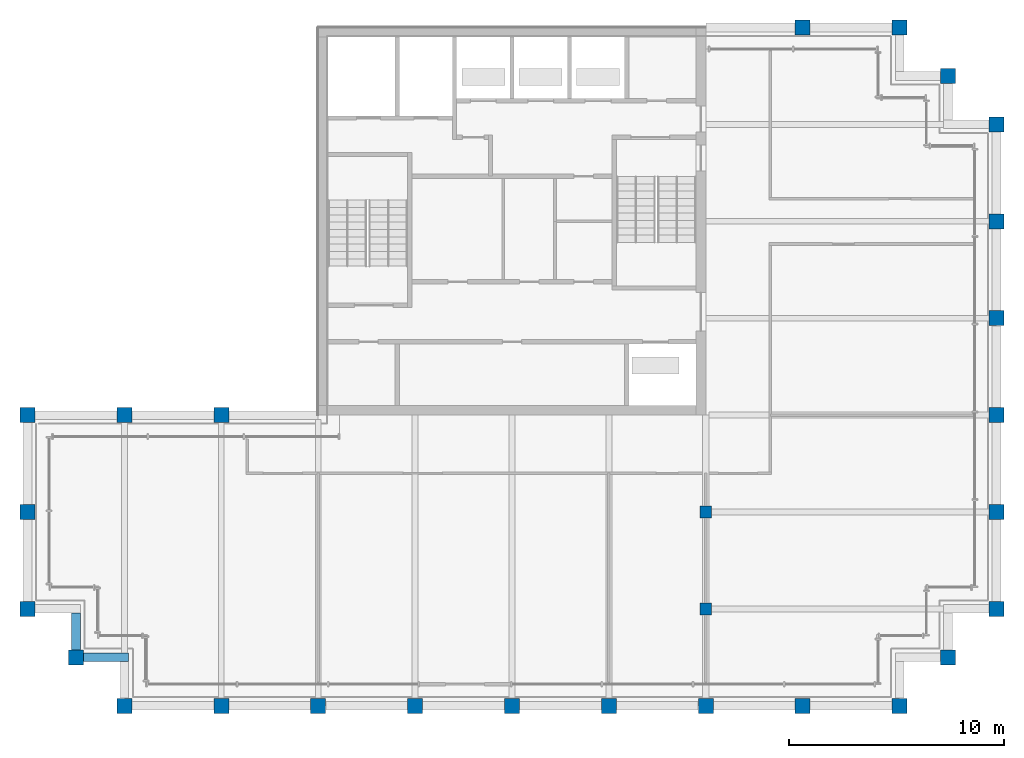
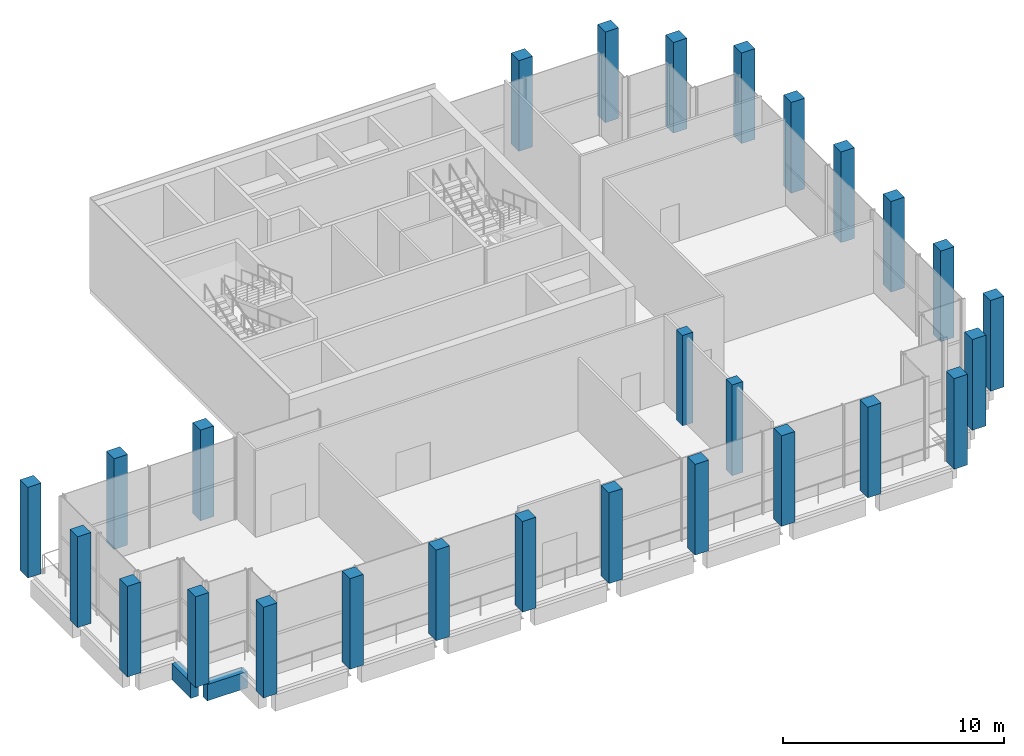
# One storey, part 1 of 14: 27 columns, 2 beams.
"""IFC4 building model written with IfcOpenShell, lengths in metres."""

from ifc_helpers import new_model, si_unit, direction, frame, origin, origin_2d, place, context, subcontext, project, spatial, rectangle, extrude, material, material_profile, profile_set, type_object, element, save


model = new_model("IFC4")

# Units and contexts
model_context = context("Model", 3, precision=1e-05, world=origin(), true_north=direction((0.0, 1.0)))
body_context = subcontext(model_context, "Body", "Model", "MODEL_VIEW")
ifc_project = project(units=[si_unit("LENGTHUNIT", "METRE"), si_unit("AREAUNIT", "SQUARE_METRE"), si_unit("VOLUMEUNIT", "CUBIC_METRE"), si_unit("PLANEANGLEUNIT", "RADIAN"), si_unit("MASSUNIT", "GRAM", prefix="KILO")], contexts=[model_context])

# Site, building, storey
site_placement = place(None, origin())
site = spatial("IfcSite", under=ifc_project, at=site_placement, CompositionType="ELEMENT")
building_placement = place(site_placement, origin())
building = spatial("IfcBuilding", under=site, at=building_placement, Name="Altepetl Exchange Towers", CompositionType="ELEMENT")
storey_placement = place(building_placement, frame((0.0, 0.0, 269.60009765625)))
storey = spatial("IfcBuildingStorey", under=building, at=storey_placement, Name="L68 Observation gallery", CompositionType="ELEMENT", Elevation=269.60009765625)

# Columns
ifc_material_1 = material(Name="Concrete C70/85", Category="concrete")
ifc_material_profile_1 = material_profile(ifc_material_1, rectangle(XDim=0.550048828125, YDim=0.550048828125, at=origin_2d()), Name="550 x 550")
ifc_profile_set_1 = profile_set([ifc_material_profile_1], Name="Concrete C70/85")
column_type_1 = type_object("IfcColumnType", Name="Interior column 550", PredefinedType="COLUMN", material=ifc_profile_set_1)
for number, where, name in (
    (1, (58.5, 31.5, 0.0), "col:A:L68:025"),
    (2, (58.5, 36.0, 0.0), "col:A:L68:026"),
):
    element("IfcColumn", number, at=place(storey_placement, frame(where)), inside=storey, type_object=column_type_1, Name=name, PredefinedType="COLUMN", context=body_context, shape_type="SweptSolid", body=[
        extrude(rectangle(XDim=0.550048828125, YDim=0.550048828125, at=origin_2d()), origin(), (0.0, 0.0, 1.0), 5.0),
    ])
ifc_material_2 = material(Name="Concrete C70/85 precast with cantera amarilla facing", Category="concrete")
ifc_material_profile_2 = material_profile(ifc_material_2, rectangle(XDim=0.699951171875, YDim=0.699951171875, at=origin_2d()), Name="700 x 700")
ifc_profile_set_2 = profile_set([ifc_material_profile_2], Name="Concrete C70/85 precast with cantera amarilla facing")
column_type_2 = type_object("IfcColumnType", Name="Perimeter column 700 cantera amarilla", PredefinedType="COLUMN", material=ifc_profile_set_2)
for number, where, name in (
    (3, (58.5, 27.0, 0.0), "col:A:L68:006"),
    (4, (63.0, 27.0, 0.0), "col:A:L68:007"),
    (5, (67.5, 27.0, 0.0), "col:A:L68:008"),
    (6, (69.75, 29.25, 0.0), "col:A:L68:009"),
    (7, (72.0, 31.5, 0.0), "col:A:L68:010"),
    (8, (72.0, 36.0, 0.0), "col:A:L68:011"),
    (9, (72.0, 40.5, 0.0), "col:A:L68:012"),
    (10, (72.0, 45.0, 0.0), "col:A:L68:013"),
    (11, (72.0, 49.5, 0.0), "col:A:L68:014"),
    (12, (72.0, 54.0, 0.0), "col:A:L68:015"),
    (13, (69.75, 56.25, 0.0), "col:A:L68:016"),
):
    element("IfcColumn", number, at=place(storey_placement, frame(where)), inside=storey, type_object=column_type_2, Name=name, PredefinedType="COLUMN", context=body_context, shape_type="SweptSolid", body=[
        extrude(rectangle(XDim=0.699951171875, YDim=0.699951171875, at=origin_2d()), origin(), (0.0, 0.0, 1.0), 5.0),
    ])
ifc_material_3 = material(Name="Concrete C70/85 precast with cantera blanca facing", Category="concrete")
ifc_material_profile_3 = material_profile(ifc_material_3, rectangle(XDim=0.699951171875, YDim=0.699951171875, at=origin_2d()), Name="700 x 700")
ifc_profile_set_3 = profile_set([ifc_material_profile_3], Name="Concrete C70/85 precast with cantera blanca facing")
column_type_3 = type_object("IfcColumnType", Name="Perimeter column 700 cantera blanca", PredefinedType="COLUMN", material=ifc_profile_set_3)
for number, where, name in (
    (14, (31.5, 27.0, 0.0), "col:A:L68:000"),
    (15, (36.0, 27.0, 0.0), "col:A:L68:001"),
    (16, (40.5, 27.0, 0.0), "col:A:L68:002"),
    (17, (45.0, 27.0, 0.0), "col:A:L68:003"),
    (18, (49.5, 27.0, 0.0), "col:A:L68:004"),
    (19, (54.0, 27.0, 0.0), "col:A:L68:005"),
    (20, (27.0, 36.0, 0.0), "col:A:L68:022"),
    (21, (27.0, 31.5, 0.0), "col:A:L68:023"),
    (22, (29.25, 29.25, 0.0), "col:A:L68:024"),
):
    element("IfcColumn", number, at=place(storey_placement, frame(where)), inside=storey, type_object=column_type_3, Name=name, PredefinedType="COLUMN", context=body_context, shape_type="SweptSolid", body=[
        extrude(rectangle(XDim=0.699951171875, YDim=0.699951171875, at=origin_2d()), origin(), (0.0, 0.0, 1.0), 5.0),
    ])
ifc_material_4 = material(Name="Concrete C70/85 precast with cantera rosa facing", Category="concrete")
ifc_material_profile_4 = material_profile(ifc_material_4, rectangle(XDim=0.699951171875, YDim=0.699951171875, at=origin_2d()), Name="700 x 700")
ifc_profile_set_4 = profile_set([ifc_material_profile_4], Name="Concrete C70/85 precast with cantera rosa facing")
column_type_4 = type_object("IfcColumnType", Name="Perimeter column 700 cantera rosa", PredefinedType="COLUMN", material=ifc_profile_set_4)
for number, where, name in (
    (23, (67.5, 58.5, 0.0), "col:A:L68:017"),
    (24, (63.0, 58.5, 0.0), "col:A:L68:018"),
):
    element("IfcColumn", number, at=place(storey_placement, frame(where)), inside=storey, type_object=column_type_4, Name=name, PredefinedType="COLUMN", context=body_context, shape_type="SweptSolid", body=[
        extrude(rectangle(XDim=0.699951171875, YDim=0.699951171875, at=origin_2d()), origin(), (0.0, 0.0, 1.0), 5.0),
    ])
ifc_material_5 = material(Name="Concrete C70/85 precast with tezontle facing", Category="concrete")
ifc_material_profile_5 = material_profile(ifc_material_5, rectangle(XDim=0.699951171875, YDim=0.699951171875, at=origin_2d()), Name="700 x 700")
ifc_profile_set_5 = profile_set([ifc_material_profile_5], Name="Concrete C70/85 precast with tezontle facing")
column_type_5 = type_object("IfcColumnType", Name="Perimeter column 700 tezontle", PredefinedType="COLUMN", material=ifc_profile_set_5)
for number, where, name in (
    (25, (36.0, 40.5, 0.0), "col:A:L68:019"),
    (26, (31.5, 40.5, 0.0), "col:A:L68:020"),
    (27, (27.0, 40.5, 0.0), "col:A:L68:021"),
):
    element("IfcColumn", number, at=place(storey_placement, frame(where)), inside=storey, type_object=column_type_5, Name=name, PredefinedType="COLUMN", context=body_context, shape_type="SweptSolid", body=[
        extrude(rectangle(XDim=0.699951171875, YDim=0.699951171875, at=origin_2d()), origin(), (0.0, 0.0, 1.0), 5.0),
    ])

# Beams
ifc_material_6 = material(Name="Concrete C50/60 precast with cantera blanca facing", Category="concrete")
ifc_material_profile_6 = material_profile(ifc_material_6, rectangle(XDim=0.39990234375, YDim=0.89990234375, at=origin_2d()), Name="400 x 900")
ifc_profile_set_6 = profile_set([ifc_material_profile_6], Name="Concrete C50/60 precast with cantera blanca facing")
beam_type = type_object("IfcBeamType", Name="Spandrel beam 400x900 cantera blanca", PredefinedType="SPANDREL", material=ifc_profile_set_6)
beam_1_placement = place(storey_placement, frame((29.25, 31.300048828125, -0.625), z_axis=(0.0, -1.0, 0.0), x_axis=(1.0, 0.0, 0.0)))
element("IfcBeam", 28, at=beam_1_placement, inside=storey, type_object=beam_type, Name="sp:A:L68:029", PredefinedType="SPANDREL", context=body_context, shape_type="SweptSolid", body=[
    extrude(rectangle(XDim=0.39990234375, YDim=0.89990234375, at=origin_2d()), origin(), (0.0, 0.0, 1.0), 1.699951171875),
])
beam_2_placement = place(storey_placement, frame((29.60009765625, 29.25, -0.625), z_axis=(1.0, 0.0, 0.0), x_axis=(0.0, 1.0, 0.0)))
element("IfcBeam", 29, at=beam_2_placement, inside=storey, type_object=beam_type, Name="sp:A:L68:030", PredefinedType="SPANDREL", context=body_context, shape_type="SweptSolid", body=[
    extrude(rectangle(XDim=0.39990234375, YDim=0.89990234375, at=origin_2d()), origin(), (0.0, 0.0, 1.0), 2.099853515625),
])

save(model, "model.ifc")
